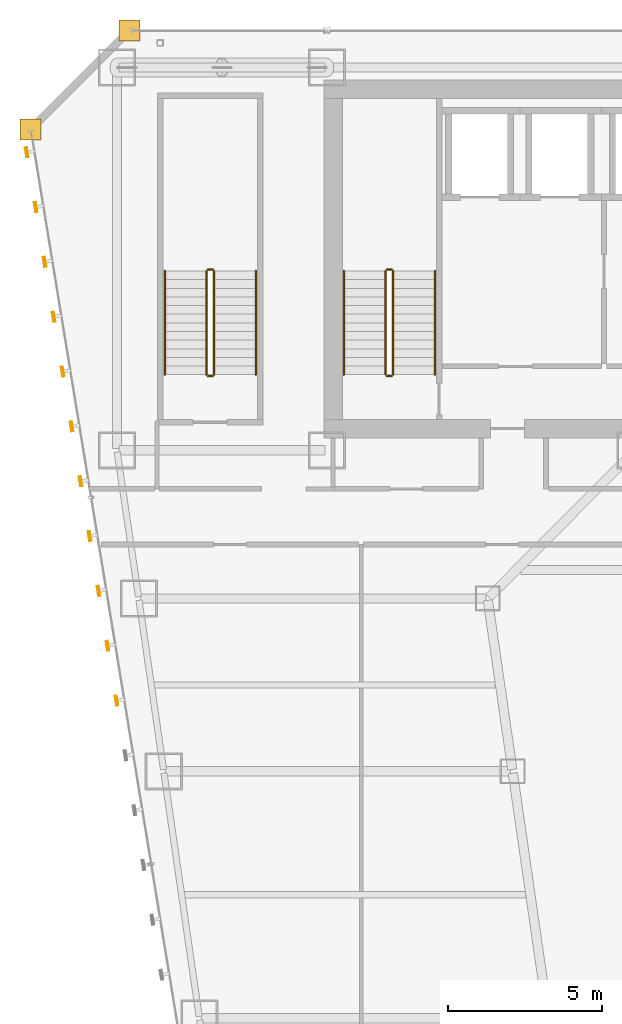
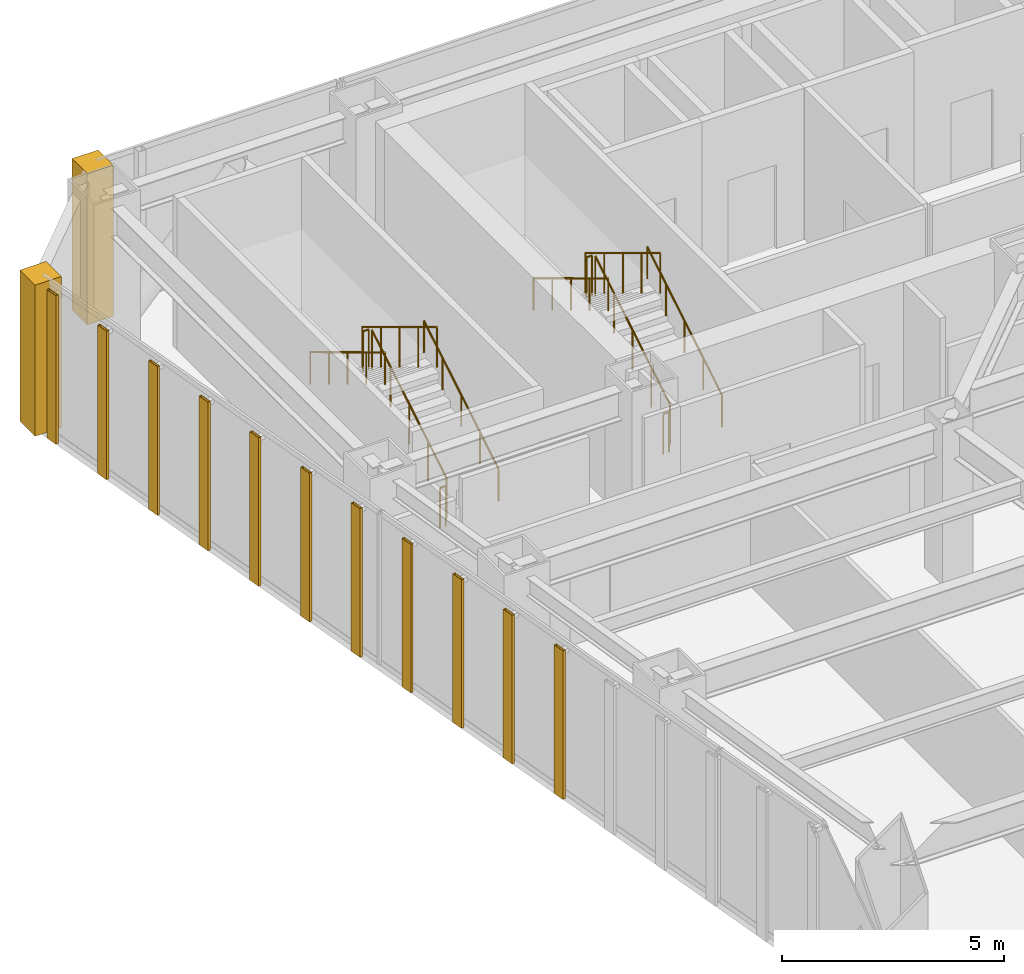
# One storey, part 46 of 47: 12 railings, 11 shading devices, 2 coverings.
"""IFC4 building model written with IfcOpenShell, lengths in metres."""

from ifc_helpers import new_model, si_unit, direction, frame, origin, origin_2d, place, context, subcontext, project, spatial, polyline, hollow_rectangle, circle, outline, extrude, material, layer, layer_set, material_profile, profile_set, type_object, element, save


model = new_model("IFC4")

# Units and contexts
model_context = context("Model", 3, precision=1e-05, world=origin(), true_north=direction((0.0, 1.0)))
body_context = subcontext(model_context, "Body", "Model", "MODEL_VIEW")
ifc_project = project(units=[si_unit("LENGTHUNIT", "METRE"), si_unit("AREAUNIT", "SQUARE_METRE"), si_unit("VOLUMEUNIT", "CUBIC_METRE"), si_unit("PLANEANGLEUNIT", "RADIAN"), si_unit("MASSUNIT", "GRAM", prefix="KILO")], contexts=[model_context])

# Site, building, storey
site_placement = place(None, origin())
site = spatial("IfcSite", under=ifc_project, at=site_placement, CompositionType="ELEMENT")
building_placement = place(site_placement, origin())
building = spatial("IfcBuilding", under=site, at=building_placement, Name="Saevonmaru Cultural Tower", CompositionType="ELEMENT")
storey_placement = place(building_placement, frame((0.0, 0.0, 56.0)))
storey = spatial("IfcBuildingStorey", under=building, at=storey_placement, Name="L11", CompositionType="ELEMENT", Elevation=56.0)

# Coverings
ifc_material_1 = material(Name="Satin Bronze Anodised Aluminium", Category="aluminium")
ifc_layer = layer(ifc_material_1, 0.679931640625, Name="Satin Bronze Anodised Aluminium")
ifc_layer_set = layer_set([ifc_layer], Name="Satin Bronze Anodised Aluminium")
covering_type = type_object("IfcCoveringType", Name="CV-CORNER-CLAD", PredefinedType="CLADDING", material=ifc_layer_set)
covering_1_placement = place(storey_placement, origin())
element("IfcCovering", 1, at=covering_1_placement, inside=storey, type_object=covering_type, Name="L11 Tower Bronze Corner Cladding Pier 11", PredefinedType="CLADDING", context=body_context, shape_type="SweptSolid", body=[
    extrude(outline(polyline([(6.860107421875, 55.659912109375), (7.5400390625, 55.659912109375), (7.5400390625, 56.340087890625), (6.860107421875, 56.340087890625), (6.860107421875, 55.659912109375)])), origin(), (0.0, 0.0, 1.0), 4.14990234375),
])
covering_2_placement = place(storey_placement, origin())
element("IfcCovering", 2, at=covering_2_placement, inside=storey, type_object=covering_type, Name="L11 Tower Bronze Corner Cladding Pier 12", PredefinedType="CLADDING", context=body_context, shape_type="SweptSolid", body=[
    extrude(outline(polyline([(3.659912109375, 52.4599609375), (4.340087890625, 52.4599609375), (4.340087890625, 53.139892578125), (3.659912109375, 53.139892578125), (3.659912109375, 52.4599609375)])), origin(), (0.0, 0.0, 1.0), 4.14990234375),
])

# Railings
ifc_material_2 = material(Name="Architectural Painted Steel", Category="steel")
railing_type_1 = type_object("IfcRailingType", Name="RL-STAIR-GUARD", PredefinedType="GUARDRAIL", material=ifc_material_2)
railing_1_placement = place(storey_placement, frame((15.75, 44.85009765625, 0.169189453125)))
element("IfcRailing", 3, at=railing_1_placement, inside=storey, type_object=railing_type_1, Name="L11 ST-1 stair guard 1", PredefinedType="GUARDRAIL", context=body_context, shape_type="SweptSolid", body=[
    extrude(circle(Radius=0.02392578125, at=origin_2d()), frame((0.0, 0.0, 1.09619140625), z_axis=(0.0, 0.855820338506, 0.51727318527), x_axis=(-1.0, 0.0, 0.0)), (0.0, 0.0, 1.0), 3.92578125),
    extrude(circle(Radius=0.02099609375, at=origin_2d()), origin(), (0.0, 0.0, 1.0), 1.072021484375),
    extrude(circle(Radius=0.02099609375, at=origin_2d()), frame((0.0, 0.83984375, 0.5078125)), (0.0, 0.0, 1.0), 1.072021484375),
    extrude(circle(Radius=0.02099609375, at=origin_2d()), frame((0.0, 1.679931640625, 1.015380859375)), (0.0, 0.0, 1.0), 1.072021484375),
    extrude(circle(Radius=0.02099609375, at=origin_2d()), frame((0.0, 2.52001953125, 1.52294921875)), (0.0, 0.0, 1.0), 1.072021484375),
    extrude(circle(Radius=0.02099609375, at=origin_2d()), frame((0.0, 3.35986328125, 2.03076171875)), (0.0, 0.0, 1.0), 1.072021484375),
])
railing_2_placement = place(storey_placement, frame((15.699951171875, 48.260009765625, 2.199951171875)))
element("IfcRailing", 4, at=railing_2_placement, inside=storey, type_object=railing_type_1, Name="L11 ST-1 stair guard 2", PredefinedType="GUARDRAIL", context=body_context, shape_type="SweptSolid", body=[
    extrude(circle(Radius=0.02392578125, at=origin_2d()), frame((0.0, 0.0, 1.09619140625), z_axis=(-1.0, 0.0, 0.0), x_axis=(0.0, -1.0, 0.0)), (0.0, 0.0, 1.0), 0.14990234375),
    extrude(circle(Radius=0.02099609375, at=origin_2d()), origin(), (0.0, 0.0, 1.0), 1.072021484375),
    extrude(circle(Radius=0.02099609375, at=origin_2d()), frame((-0.14990234375, 0.0, 0.0)), (0.0, 0.0, 1.0), 1.072021484375),
])
railing_3_placement = place(storey_placement, frame((15.5, 48.2099609375, 2.369140625)))
element("IfcRailing", 5, at=railing_3_placement, inside=storey, type_object=railing_type_1, Name="L11 ST-1 stair guard 3", PredefinedType="GUARDRAIL", context=body_context, shape_type="SweptSolid", body=[
    extrude(circle(Radius=0.02392578125, at=origin_2d()), frame((0.0, 0.0, 1.09619140625), z_axis=(0.0, -0.855820338506, 0.51727318527), x_axis=(1.0, 0.0, 0.0)), (0.0, 0.0, 1.0), 3.92578125),
    extrude(circle(Radius=0.02099609375, at=origin_2d()), origin(), (0.0, 0.0, 1.0), 1.072021484375),
    extrude(circle(Radius=0.02099609375, at=origin_2d()), frame((0.0, -0.83984375, 0.5078125)), (0.0, 0.0, 1.0), 1.072021484375),
    extrude(circle(Radius=0.02099609375, at=origin_2d()), frame((0.0, -1.679931640625, 1.015380859375)), (0.0, 0.0, 1.0), 1.072021484375),
    extrude(circle(Radius=0.02099609375, at=origin_2d()), frame((0.0, -2.52001953125, 1.52294921875)), (0.0, 0.0, 1.0), 1.072021484375),
    extrude(circle(Radius=0.02099609375, at=origin_2d()), frame((0.0, -3.35986328125, 2.03076171875)), (0.0, 0.0, 1.0), 1.072021484375),
])
railing_4_placement = place(storey_placement, frame((15.699951171875, 44.800048828125, 0.0)))
element("IfcRailing", 6, at=railing_4_placement, inside=storey, type_object=railing_type_1, Name="L11 ST-1 stair guard 4", PredefinedType="GUARDRAIL", context=body_context, shape_type="SweptSolid", body=[
    extrude(circle(Radius=0.02392578125, at=origin_2d()), frame((0.0, 0.0, 1.09619140625), z_axis=(-1.0, 0.0, 0.0), x_axis=(0.0, -1.0, 0.0)), (0.0, 0.0, 1.0), 0.14990234375),
    extrude(circle(Radius=0.02099609375, at=origin_2d()), origin(), (0.0, 0.0, 1.0), 1.072021484375),
    extrude(circle(Radius=0.02099609375, at=origin_2d()), frame((-0.14990234375, 0.0, 0.0)), (0.0, 0.0, 1.0), 1.072021484375),
])
railing_5_placement = place(storey_placement, frame((9.949951171875, 44.85009765625, 0.169189453125)))
element("IfcRailing", 7, at=railing_5_placement, inside=storey, type_object=railing_type_1, Name="L11 ST-3 stair guard 1", PredefinedType="GUARDRAIL", context=body_context, shape_type="SweptSolid", body=[
    extrude(circle(Radius=0.02392578125, at=origin_2d()), frame((0.0, 0.0, 1.09619140625), z_axis=(0.0, 0.855820338506, 0.51727318527), x_axis=(-1.0, 0.0, 0.0)), (0.0, 0.0, 1.0), 3.92578125),
    extrude(circle(Radius=0.02099609375, at=origin_2d()), origin(), (0.0, 0.0, 1.0), 1.072021484375),
    extrude(circle(Radius=0.02099609375, at=origin_2d()), frame((0.0, 0.83984375, 0.5078125)), (0.0, 0.0, 1.0), 1.072021484375),
    extrude(circle(Radius=0.02099609375, at=origin_2d()), frame((0.0, 1.679931640625, 1.015380859375)), (0.0, 0.0, 1.0), 1.072021484375),
    extrude(circle(Radius=0.02099609375, at=origin_2d()), frame((0.0, 2.52001953125, 1.52294921875)), (0.0, 0.0, 1.0), 1.072021484375),
    extrude(circle(Radius=0.02099609375, at=origin_2d()), frame((0.0, 3.35986328125, 2.03076171875)), (0.0, 0.0, 1.0), 1.072021484375),
])
railing_6_placement = place(storey_placement, frame((9.89990234375, 48.260009765625, 2.199951171875)))
element("IfcRailing", 8, at=railing_6_placement, inside=storey, type_object=railing_type_1, Name="L11 ST-3 stair guard 2", PredefinedType="GUARDRAIL", context=body_context, shape_type="SweptSolid", body=[
    extrude(circle(Radius=0.02392578125, at=origin_2d()), frame((0.0, 0.0, 1.09619140625), z_axis=(-1.0, 0.0, 0.0), x_axis=(0.0, -1.0, 0.0)), (0.0, 0.0, 1.0), 0.14990234375),
    extrude(circle(Radius=0.02099609375, at=origin_2d()), origin(), (0.0, 0.0, 1.0), 1.072021484375),
    extrude(circle(Radius=0.02099609375, at=origin_2d()), frame((-0.14990234375, 0.0, 0.0)), (0.0, 0.0, 1.0), 1.072021484375),
])
railing_7_placement = place(storey_placement, frame((9.699951171875, 48.2099609375, 2.369140625)))
element("IfcRailing", 9, at=railing_7_placement, inside=storey, type_object=railing_type_1, Name="L11 ST-3 stair guard 3", PredefinedType="GUARDRAIL", context=body_context, shape_type="SweptSolid", body=[
    extrude(circle(Radius=0.02392578125, at=origin_2d()), frame((0.0, 0.0, 1.09619140625), z_axis=(0.0, -0.855820338506, 0.51727318527), x_axis=(1.0, 0.0, 0.0)), (0.0, 0.0, 1.0), 3.92578125),
    extrude(circle(Radius=0.02099609375, at=origin_2d()), origin(), (0.0, 0.0, 1.0), 1.072021484375),
    extrude(circle(Radius=0.02099609375, at=origin_2d()), frame((0.0, -0.83984375, 0.5078125)), (0.0, 0.0, 1.0), 1.072021484375),
    extrude(circle(Radius=0.02099609375, at=origin_2d()), frame((0.0, -1.679931640625, 1.015380859375)), (0.0, 0.0, 1.0), 1.072021484375),
    extrude(circle(Radius=0.02099609375, at=origin_2d()), frame((0.0, -2.52001953125, 1.52294921875)), (0.0, 0.0, 1.0), 1.072021484375),
    extrude(circle(Radius=0.02099609375, at=origin_2d()), frame((0.0, -3.35986328125, 2.03076171875)), (0.0, 0.0, 1.0), 1.072021484375),
])
railing_8_placement = place(storey_placement, frame((9.89990234375, 44.800048828125, 0.0)))
element("IfcRailing", 10, at=railing_8_placement, inside=storey, type_object=railing_type_1, Name="L11 ST-3 stair guard 4", PredefinedType="GUARDRAIL", context=body_context, shape_type="SweptSolid", body=[
    extrude(circle(Radius=0.02392578125, at=origin_2d()), frame((0.0, 0.0, 1.09619140625), z_axis=(-1.0, 0.0, 0.0), x_axis=(0.0, -1.0, 0.0)), (0.0, 0.0, 1.0), 0.14990234375),
    extrude(circle(Radius=0.02099609375, at=origin_2d()), origin(), (0.0, 0.0, 1.0), 1.072021484375),
    extrude(circle(Radius=0.02099609375, at=origin_2d()), frame((-0.14990234375, 0.0, 0.0)), (0.0, 0.0, 1.0), 1.072021484375),
])
railing_type_2 = type_object("IfcRailingType", Name="RL-STAIR-HANDRAIL", PredefinedType="HANDRAIL", material=ifc_material_1)
railing_9_placement = place(storey_placement, frame((17.10009765625, 44.85009765625, 0.169189453125)))
element("IfcRailing", 11, at=railing_9_placement, inside=storey, type_object=railing_type_2, Name="L11 ST-1 stair handrail 1", PredefinedType="HANDRAIL", context=body_context, shape_type="SweptSolid", body=[
    extrude(circle(Radius=0.02392578125, at=origin_2d()), frame((0.0, 0.0, 0.8759765625), z_axis=(0.0, 0.855820338506, 0.51727318527), x_axis=(-1.0, 0.0, 0.0)), (0.0, 0.0, 1.0), 3.92578125),
    extrude(circle(Radius=0.02099609375, at=origin_2d()), origin(), (0.0, 0.0, 1.0), 0.851806640625),
    extrude(circle(Radius=0.02099609375, at=origin_2d()), frame((0.0, 0.83984375, 0.5078125)), (0.0, 0.0, 1.0), 0.851806640625),
    extrude(circle(Radius=0.02099609375, at=origin_2d()), frame((0.0, 1.679931640625, 1.015380859375)), (0.0, 0.0, 1.0), 0.851806640625),
    extrude(circle(Radius=0.02099609375, at=origin_2d()), frame((0.0, 2.52001953125, 1.52294921875)), (0.0, 0.0, 1.0), 0.851806640625),
    extrude(circle(Radius=0.02099609375, at=origin_2d()), frame((0.0, 3.35986328125, 2.03076171875)), (0.0, 0.0, 1.0), 0.851806640625),
])
railing_10_placement = place(storey_placement, frame((14.14990234375, 48.2099609375, 2.369140625)))
element("IfcRailing", 12, at=railing_10_placement, inside=storey, type_object=railing_type_2, Name="L11 ST-1 stair handrail 2", PredefinedType="HANDRAIL", context=body_context, shape_type="SweptSolid", body=[
    extrude(circle(Radius=0.02392578125, at=origin_2d()), frame((0.0, 0.0, 0.8759765625), z_axis=(0.0, -0.855820338506, 0.51727318527), x_axis=(1.0, 0.0, 0.0)), (0.0, 0.0, 1.0), 3.92578125),
    extrude(circle(Radius=0.02099609375, at=origin_2d()), origin(), (0.0, 0.0, 1.0), 0.851806640625),
    extrude(circle(Radius=0.02099609375, at=origin_2d()), frame((0.0, -0.83984375, 0.5078125)), (0.0, 0.0, 1.0), 0.851806640625),
    extrude(circle(Radius=0.02099609375, at=origin_2d()), frame((0.0, -1.679931640625, 1.015380859375)), (0.0, 0.0, 1.0), 0.851806640625),
    extrude(circle(Radius=0.02099609375, at=origin_2d()), frame((0.0, -2.52001953125, 1.52294921875)), (0.0, 0.0, 1.0), 0.851806640625),
    extrude(circle(Radius=0.02099609375, at=origin_2d()), frame((0.0, -3.35986328125, 2.03076171875)), (0.0, 0.0, 1.0), 0.851806640625),
])
railing_11_placement = place(storey_placement, frame((11.300048828125, 44.85009765625, 0.169189453125)))
element("IfcRailing", 13, at=railing_11_placement, inside=storey, type_object=railing_type_2, Name="L11 ST-3 stair handrail 1", PredefinedType="HANDRAIL", context=body_context, shape_type="SweptSolid", body=[
    extrude(circle(Radius=0.02392578125, at=origin_2d()), frame((0.0, 0.0, 0.8759765625), z_axis=(0.0, 0.855820338506, 0.51727318527), x_axis=(-1.0, 0.0, 0.0)), (0.0, 0.0, 1.0), 3.92578125),
    extrude(circle(Radius=0.02099609375, at=origin_2d()), origin(), (0.0, 0.0, 1.0), 0.851806640625),
    extrude(circle(Radius=0.02099609375, at=origin_2d()), frame((0.0, 0.83984375, 0.5078125)), (0.0, 0.0, 1.0), 0.851806640625),
    extrude(circle(Radius=0.02099609375, at=origin_2d()), frame((0.0, 1.679931640625, 1.015380859375)), (0.0, 0.0, 1.0), 0.851806640625),
    extrude(circle(Radius=0.02099609375, at=origin_2d()), frame((0.0, 2.52001953125, 1.52294921875)), (0.0, 0.0, 1.0), 0.851806640625),
    extrude(circle(Radius=0.02099609375, at=origin_2d()), frame((0.0, 3.35986328125, 2.03076171875)), (0.0, 0.0, 1.0), 0.851806640625),
])
railing_12_placement = place(storey_placement, frame((8.35009765625, 48.2099609375, 2.369140625)))
element("IfcRailing", 14, at=railing_12_placement, inside=storey, type_object=railing_type_2, Name="L11 ST-3 stair handrail 2", PredefinedType="HANDRAIL", context=body_context, shape_type="SweptSolid", body=[
    extrude(circle(Radius=0.02392578125, at=origin_2d()), frame((0.0, 0.0, 0.8759765625), z_axis=(0.0, -0.855820338506, 0.51727318527), x_axis=(1.0, 0.0, 0.0)), (0.0, 0.0, 1.0), 3.92578125),
    extrude(circle(Radius=0.02099609375, at=origin_2d()), origin(), (0.0, 0.0, 1.0), 0.851806640625),
    extrude(circle(Radius=0.02099609375, at=origin_2d()), frame((0.0, -0.83984375, 0.5078125)), (0.0, 0.0, 1.0), 0.851806640625),
    extrude(circle(Radius=0.02099609375, at=origin_2d()), frame((0.0, -1.679931640625, 1.015380859375)), (0.0, 0.0, 1.0), 0.851806640625),
    extrude(circle(Radius=0.02099609375, at=origin_2d()), frame((0.0, -2.52001953125, 1.52294921875)), (0.0, 0.0, 1.0), 0.851806640625),
    extrude(circle(Radius=0.02099609375, at=origin_2d()), frame((0.0, -3.35986328125, 2.03076171875)), (0.0, 0.0, 1.0), 0.851806640625),
])

# Shading devices
ifc_material_profile = material_profile(ifc_material_1, hollow_rectangle(XDim=0.070068359375, YDim=0.320068359375, WallThickness=0.0048828125, at=origin_2d()), Name="FIN-320x70")
ifc_profile_set = profile_set([ifc_material_profile], Name="Satin Bronze Anodised Aluminium")
shading_device_type = type_object("IfcShadingDeviceType", Name="SHD-FIN-320", PredefinedType="JALOUSIE", material=ifc_profile_set)
for number, where, z_axis, x_axis, name in (
    (15, (3.879150390625, 52.05322265625, 0.050048828125), (0.0, 0.0, 1.0), (-0.986827496189, -0.161776057456, 0.0), "L11 Art Deco Sawtooth Bronze Fin E12-01"),
    (16, (4.170166015625, 50.27685546875, 0.050048828125), (0.0, 0.0, 1.0), (-0.986827496189, -0.161776057456, 0.0), "L11 Art Deco Sawtooth Bronze Fin E12-02"),
    (17, (4.461181640625, 48.50048828125, 0.050048828125), (0.0, 0.0, 1.0), (-0.986827496189, -0.161776057456, 0.0), "L11 Art Deco Sawtooth Bronze Fin E12-03"),
    (18, (4.75244140625, 46.724365234375, 0.050048828125), (0.0, 0.0, 1.0), (-0.986827496189, -0.161776057456, 0.0), "L11 Art Deco Sawtooth Bronze Fin E12-04"),
    (19, (5.04345703125, 44.947998046875, 0.050048828125), (0.0, 0.0, 1.0), (-0.986827496189, -0.161776057456, 0.0), "L11 Art Deco Sawtooth Bronze Fin E12-05"),
    (20, (5.334716796875, 43.171630859375, 0.050048828125), (0.0, 0.0, 1.0), (-0.986827496189, -0.161776057456, 0.0), "L11 Art Deco Sawtooth Bronze Fin E12-06"),
    (21, (5.62548828125, 41.3955078125, 0.050048828125), (0.0, 0.0, 1.0), (-0.986827496189, -0.161776057456, 0.0), "L11 Art Deco Sawtooth Bronze Fin E12-07"),
    (22, (5.916748046875, 39.618896484375, 0.050048828125), (0.0, 0.0, 1.0), (-0.986827496189, -0.161776057456, 0.0), "L11 Art Deco Sawtooth Bronze Fin E12-08"),
    (23, (6.207763671875, 37.8427734375, 0.050048828125), (0.0, 0.0, 1.0), (-0.986827496189, -0.161776057456, 0.0), "L11 Art Deco Sawtooth Bronze Fin E12-09"),
    (24, (6.498779296875, 36.06640625, 0.050048828125), (0.0, 0.0, 1.0), (-0.986827496189, -0.161776057456, 0.0), "L11 Art Deco Sawtooth Bronze Fin E12-10"),
    (25, (6.789794921875, 34.2900390625, 0.050048828125), (0.0, 0.0, 1.0), (-0.986827496189, -0.161776057456, 0.0), "L11 Art Deco Sawtooth Bronze Fin E12-11"),
):
    element("IfcShadingDevice", number, at=place(storey_placement, frame(where, z_axis=z_axis, x_axis=x_axis)), inside=storey, type_object=shading_device_type, Name=name, PredefinedType="JALOUSIE", context=body_context, shape_type="SweptSolid", body=[
        extrude(hollow_rectangle(XDim=0.070068359375, YDim=0.320068359375, WallThickness=0.0048828125, at=origin_2d()), origin(), (0.0, 0.0, 1.0), 4.079833984375),
    ])

save(model, "model.ifc")
